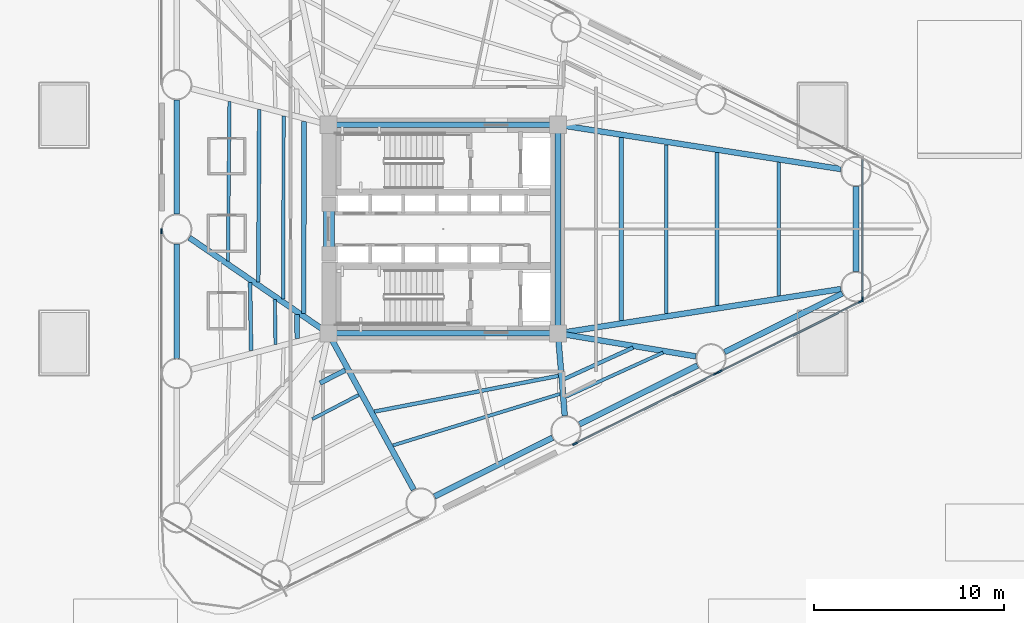
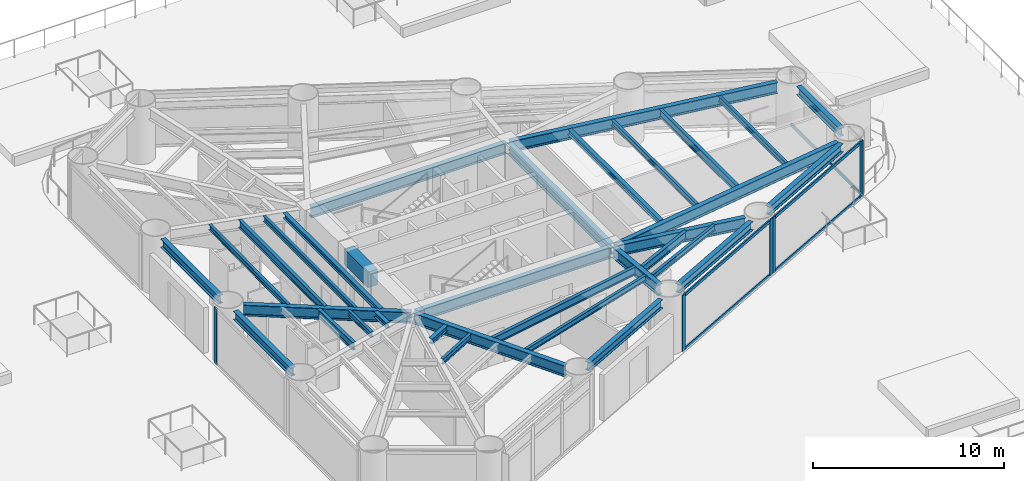
# One storey, part 2 of 13: 33 beams, 11 members, 4 elements without a shape of their own.
"""IFC4 building model written with IfcOpenShell, lengths in metres."""

from ifc_helpers import new_model, si_unit, direction, frame, origin, origin_2d, place, context, subcontext, project, spatial, rectangle, i_section, extrude, source, transform, mapped, material, layer, layer_set, material_profile, profile_set, type_object, element, aggregate, save


model = new_model("IFC4")

# Units and contexts
model_context = context("Model", 3, precision=1e-05, world=origin(), true_north=direction((0.0, 1.0)))
body_context = subcontext(model_context, "Body", "Model", "MODEL_VIEW")
ifc_project = project(units=[si_unit("LENGTHUNIT", "METRE"), si_unit("AREAUNIT", "SQUARE_METRE"), si_unit("VOLUMEUNIT", "CUBIC_METRE"), si_unit("PLANEANGLEUNIT", "RADIAN"), si_unit("MASSUNIT", "GRAM", prefix="KILO")], contexts=[model_context])

# Site, building, storey
site_placement = place(None, origin())
site = spatial("IfcSite", under=ifc_project, at=site_placement, CompositionType="ELEMENT")
building_placement = place(site_placement, origin())
building = spatial("IfcBuilding", under=site, at=building_placement, Name="Yunling Apex Tower", CompositionType="ELEMENT")
storey_placement = place(building_placement, frame((0.0, 0.0, 20.10009765625)))
storey = spatial("IfcBuildingStorey", under=building, at=storey_placement, Name="L06", CompositionType="ELEMENT", Elevation=20.10009765625)

# Beams
ifc_material_1 = material(Name="Concrete C60", Category="concrete")
ifc_material_profile_1 = material_profile(ifc_material_1, rectangle(XDim=0.60009765625, YDim=1.0, at=origin_2d()))
ifc_profile_set_1 = profile_set([ifc_material_profile_1], Name="Concrete C60")
beam_type_1 = type_object("IfcBeamType", Name="BC-CPL-1", PredefinedType="BEAM", material=ifc_profile_set_1)
shared_shape_1 = source(origin(), body_context, "Body", "SweptSolid", [
    extrude(rectangle(XDim=0.60009765625, YDim=1.0, at=origin_2d()), origin(), (0.0, 0.0, 1.0), 2.5),
])
beam_1_placement = place(storey_placement, frame((-6.02490234375, -1.25, 3.014892578125), z_axis=(0.0, 1.0, 0.0), x_axis=(-1.0, 0.0, 0.0)))
element("IfcBeam", 1, at=beam_1_placement, inside=storey, type_object=beam_type_1, Name="L06 Core West Portal Coupling Beam", PredefinedType="BEAM", context=body_context, shape_type="MappedRepresentation", body=[
    mapped(shared_shape_1, transform((0.0, 0.0, 0.0), scale=1.0)),
])
ifc_material_2 = material(Name="Steel Q355B", Category="steel")
ifc_material_profile_2 = material_profile(ifc_material_2, i_section(OverallWidth=0.300048828125, OverallDepth=0.699951171875, WebThickness=0.012939453125, FlangeThickness=0.02392578125, FilletRadius=0.02587890625, at=origin_2d()))
ifc_profile_set_2 = profile_set([ifc_material_profile_2], Name="Steel Q355B")
beam_type_2 = type_object("IfcBeamType", Name="BG-PRI-3", PredefinedType="USERDEFINED", material=ifc_profile_set_2)
shared_shape_2 = source(origin(), body_context, "Body", "SweptSolid", [
    extrude(i_section(OverallWidth=0.300048828125, OverallDepth=0.699951171875, WebThickness=0.012939453125, FlangeThickness=0.02392578125, FilletRadius=0.02587890625, at=origin_2d()), origin(), (0.0, 0.0, 1.0), 11.7998046875),
])
for number, where, z_axis, x_axis, name in (
    (2, (-5.89990234375, -5.5, 3.164794921875), (1.0, 0.0, 0.0), (0.0, 1.0, 0.0), "L06 Core Ring Tie Beam 1"),
    (3, (5.89990234375, 5.5, 3.164794921875), (-1.0, 0.0, 0.0), (0.0, -1.0, 0.0), "L06 Core Ring Tie Beam 3"),
):
    element("IfcBeam", number, at=place(storey_placement, frame(where, z_axis=z_axis, x_axis=x_axis)), inside=storey, type_object=beam_type_2, Name=name, ObjectType="GIRDER", PredefinedType="USERDEFINED", context=body_context, shape_type="MappedRepresentation", body=[
        mapped(shared_shape_2, transform((0.0, 0.0, 0.0), scale=1.0)),
    ])
shared_shape_3 = source(origin(), body_context, "Body", "SweptSolid", [
    extrude(i_section(OverallWidth=0.300048828125, OverallDepth=0.699951171875, WebThickness=0.012939453125, FlangeThickness=0.02392578125, FilletRadius=0.02587890625, at=origin_2d()), origin(), (0.0, 0.0, 1.0), 10.7001953125),
])
beam_2_placement = place(storey_placement, frame((6.050048828125, -5.35009765625, 3.164794921875), z_axis=(0.0, 1.0, 0.0), x_axis=(-1.0, 0.0, 0.0)))
element("IfcBeam", 4, at=beam_2_placement, inside=storey, type_object=beam_type_2, Name="L06 Core Ring Tie Beam 2", ObjectType="GIRDER", PredefinedType="USERDEFINED", context=body_context, shape_type="MappedRepresentation", body=[
    mapped(shared_shape_3, transform((0.0, 0.0, 0.0), scale=1.0)),
])
ifc_material_profile_3 = material_profile(ifc_material_2, i_section(OverallWidth=0.300048828125, OverallDepth=0.5400390625, WebThickness=0.011962890625, FlangeThickness=0.02001953125, FilletRadius=0.02392578125, at=origin_2d()))
ifc_profile_set_3 = profile_set([ifc_material_profile_3], Name="Steel Q355B")
beam_type_3 = type_object("IfcBeamType", Name="BP-SPN-1", PredefinedType="SPANDREL", material=ifc_profile_set_3)
shared_shape_4 = source(origin(), body_context, "Body", "SweptSolid", [
    extrude(i_section(OverallWidth=0.300048828125, OverallDepth=0.5400390625, WebThickness=0.011962890625, FlangeThickness=0.02001953125, FilletRadius=0.02392578125, at=origin_2d()), origin(), (0.0, 0.0, 1.0), 6.950927734375),
])
for number, where, z_axis, x_axis, name in (
    (5, (-0.456298828125, -14.099365234375, 3.244873046875), (0.895247556401, 0.445569088646, 0.0), (-0.445569088646, 0.895247556401, 0.0), "L06 Perimeter Spandrel Beam 2"),
    (6, (14.83251953125, -6.48974609375, 3.244873046875), (0.895247556401, 0.445569088646, 0.0), (-0.445569088646, 0.895247556401, 0.0), "L06 Perimeter Spandrel Beam 4"),
):
    element("IfcBeam", number, at=place(storey_placement, frame(where, z_axis=z_axis, x_axis=x_axis)), inside=storey, type_object=beam_type_3, Name=name, PredefinedType="SPANDREL", context=body_context, shape_type="MappedRepresentation", body=[
        mapped(shared_shape_4, transform((0.0, 0.0, 0.0), scale=1.0)),
    ])
shared_shape_5 = source(origin(), body_context, "Body", "SweptSolid", [
    extrude(i_section(OverallWidth=0.300048828125, OverallDepth=0.5400390625, WebThickness=0.011962890625, FlangeThickness=0.02001953125, FilletRadius=0.02392578125, at=origin_2d()), origin(), (0.0, 0.0, 1.0), 6.95068359375),
])
beam_3_placement = place(storey_placement, frame((7.188232421875, -10.29443359375, 3.244873046875), z_axis=(0.895254593944, 0.445554948375, 0.0), x_axis=(-0.445554948375, 0.895254593944, 0.0)))
element("IfcBeam", 7, at=beam_3_placement, inside=storey, type_object=beam_type_3, Name="L06 Perimeter Spandrel Beam 3", PredefinedType="SPANDREL", context=body_context, shape_type="MappedRepresentation", body=[
    mapped(shared_shape_5, transform((0.0, 0.0, 0.0), scale=1.0)),
])
shared_shape_6 = source(origin(), body_context, "Body", "SweptSolid", [
    extrude(i_section(OverallWidth=0.300048828125, OverallDepth=0.5400390625, WebThickness=0.011962890625, FlangeThickness=0.02001953125, FilletRadius=0.02392578125, at=origin_2d()), origin(), (0.0, 0.0, 1.0), 4.48974609375),
])
beam_4_placement = place(storey_placement, frame((21.76611328125, -2.244873046875, 3.244873046875), z_axis=(0.0, 1.0, 0.0), x_axis=(-1.0, 0.0, 0.0)))
element("IfcBeam", 8, at=beam_4_placement, inside=storey, type_object=beam_type_3, Name="L06 Perimeter Spandrel Beam 5", PredefinedType="SPANDREL", context=body_context, shape_type="MappedRepresentation", body=[
    mapped(shared_shape_6, transform((0.0, 0.0, 0.0), scale=1.0)),
])
shared_shape_7 = source(origin(), body_context, "Body", "SweptSolid", [
    extrude(i_section(OverallWidth=0.300048828125, OverallDepth=0.5400390625, WebThickness=0.011962890625, FlangeThickness=0.02001953125, FilletRadius=0.02392578125, at=origin_2d()), origin(), (0.0, 0.0, 1.0), 6.021484375),
])
for number, where, z_axis, x_axis, name in (
    (9, (-14.052001953125, 6.8154296875, 3.244873046875), (0.0, -1.0, 0.0), (1.0, 0.0, 0.0), "L06 Perimeter Spandrel Beam 12"),
    (10, (-14.052001953125, -0.7939453125, 3.244873046875), (0.0, -1.0, 0.0), (1.0, 0.0, 0.0), "L06 Perimeter Spandrel Beam 13"),
):
    element("IfcBeam", number, at=place(storey_placement, frame(where, z_axis=z_axis, x_axis=x_axis)), inside=storey, type_object=beam_type_3, Name=name, PredefinedType="SPANDREL", context=body_context, shape_type="MappedRepresentation", body=[
        mapped(shared_shape_7, transform((0.0, 0.0, 0.0), scale=1.0)),
    ])
shared_shape_8 = source(origin(), body_context, "Body", "SweptSolid", [
    extrude(i_section(OverallWidth=0.300048828125, OverallDepth=0.699951171875, WebThickness=0.012939453125, FlangeThickness=0.02392578125, FilletRadius=0.02587890625, at=origin_2d()), origin(), (0.0, 0.0, 1.0), 9.31005859375),
])
beam_5_placement = place(storey_placement, frame((-1.553955078125, -13.74365234375, 3.164794921875), z_axis=(-0.478817221141, 0.877914613581, 0.0), x_axis=(-0.877914613581, -0.478817221141, 0.0)))
element("IfcBeam", 11, at=beam_5_placement, inside=storey, type_object=beam_type_2, Name="L06 Radial Primary Girder R02", ObjectType="GIRDER", PredefinedType="USERDEFINED", context=body_context, shape_type="MappedRepresentation", body=[
    mapped(shared_shape_8, transform((0.0, 0.0, 0.0), scale=1.0)),
])
shared_shape_9 = source(origin(), body_context, "Body", "SweptSolid", [
    extrude(i_section(OverallWidth=0.300048828125, OverallDepth=0.699951171875, WebThickness=0.012939453125, FlangeThickness=0.02392578125, FilletRadius=0.02587890625, at=origin_2d()), origin(), (0.0, 0.0, 1.0), 4.278076171875),
])
beam_6_placement = place(storey_placement, frame((6.41064453125, -9.843017578125, 3.164794921875), z_axis=(-0.082747937789, 0.996570508691, 0.0), x_axis=(-0.996570508691, -0.082747937789, 0.0)))
element("IfcBeam", 12, at=beam_6_placement, inside=storey, type_object=beam_type_2, Name="L06 Radial Primary Girder R03", ObjectType="GIRDER", PredefinedType="USERDEFINED", context=body_context, shape_type="MappedRepresentation", body=[
    mapped(shared_shape_9, transform((0.0, 0.0, 0.0), scale=1.0)),
])
shared_shape_10 = source(origin(), body_context, "Body", "SweptSolid", [
    extrude(i_section(OverallWidth=0.300048828125, OverallDepth=0.699951171875, WebThickness=0.012939453125, FlangeThickness=0.02392578125, FilletRadius=0.02587890625, at=origin_2d()), origin(), (0.0, 0.0, 1.0), 7.294921875),
])
beam_7_placement = place(storey_placement, frame((13.32470703125, -6.7109375, 3.164794921875), z_axis=(-0.98642827455, 0.164192750049, 0.0), x_axis=(-0.164192750049, -0.98642827455, 0.0)))
element("IfcBeam", 13, at=beam_7_placement, inside=storey, type_object=beam_type_2, Name="L06 Radial Primary Girder R04", ObjectType="GIRDER", PredefinedType="USERDEFINED", context=body_context, shape_type="MappedRepresentation", body=[
    mapped(shared_shape_10, transform((0.0, 0.0, 0.0), scale=1.0)),
])
shared_shape_11 = source(origin(), body_context, "Body", "SweptSolid", [
    extrude(i_section(OverallWidth=0.300048828125, OverallDepth=0.699951171875, WebThickness=0.012939453125, FlangeThickness=0.02392578125, FilletRadius=0.02587890625, at=origin_2d()), origin(), (0.0, 0.0, 1.0), 15.02001953125),
])
for number, where, z_axis, x_axis, name in (
    (14, (20.968017578125, -3.163818359375, 3.164794921875), (-0.987959991473, -0.154709583568, 0.0), (0.154709583568, -0.987959991473, 0.0), "L06 Radial Primary Girder R05"),
    (15, (20.968017578125, 3.163818359375, 3.164794921875), (-0.987959991473, 0.154709583568, 0.0), (-0.154709583568, -0.987959991473, 0.0), "L06 Radial Primary Girder R06"),
):
    element("IfcBeam", number, at=place(storey_placement, frame(where, z_axis=z_axis, x_axis=x_axis)), inside=storey, type_object=beam_type_2, Name=name, ObjectType="GIRDER", PredefinedType="USERDEFINED", context=body_context, shape_type="MappedRepresentation", body=[
        mapped(shared_shape_11, transform((0.0, 0.0, 0.0), scale=1.0)),
    ])
shared_shape_12 = source(origin(), body_context, "Body", "SweptSolid", [
    extrude(i_section(OverallWidth=0.300048828125, OverallDepth=0.699951171875, WebThickness=0.012939453125, FlangeThickness=0.02392578125, FilletRadius=0.02587890625, at=origin_2d()), origin(), (0.0, 0.0, 1.0), 8.821533203125),
])
beam_8_placement = place(storey_placement, frame((-13.385986328125, -0.457763671875, 3.164794921875), z_axis=(0.824111362877, -0.566427807912, 0.0), x_axis=(0.566427807912, 0.824111362877, 0.0)))
element("IfcBeam", 16, at=beam_8_placement, inside=storey, type_object=beam_type_2, Name="L06 Radial Primary Girder R13", ObjectType="GIRDER", PredefinedType="USERDEFINED", context=body_context, shape_type="MappedRepresentation", body=[
    mapped(shared_shape_12, transform((0.0, 0.0, 0.0), scale=1.0)),
])
ifc_material_profile_4 = material_profile(ifc_material_2, i_section(OverallWidth=0.175048828125, OverallDepth=0.35009765625, WebThickness=0.007080078125, FlangeThickness=0.010986328125, FilletRadius=0.013916015625, at=origin_2d()))
ifc_profile_set_4 = profile_set([ifc_material_profile_4], Name="Steel Q355B")
beam_type_4 = type_object("IfcBeamType", Name="BJ-JST-1", PredefinedType="JOIST", material=ifc_profile_set_4)
shared_shape_13 = source(origin(), body_context, "Body", "SweptSolid", [
    extrude(i_section(OverallWidth=0.175048828125, OverallDepth=0.35009765625, WebThickness=0.007080078125, FlangeThickness=0.010986328125, FilletRadius=0.013916015625, at=origin_2d()), origin(), (0.0, 0.0, 1.0), 2.7548828125),
])
beam_9_placement = place(storey_placement, frame((-6.903076171875, -10.0224609375, 3.33984375), z_axis=(0.886932237595, 0.461899562584, 0.0), x_axis=(-0.461899562584, 0.886932237595, 0.0)))
element("IfcBeam", 17, at=beam_9_placement, inside=storey, type_object=beam_type_4, Name="L06 Composite Floor Joist BJ3-1", PredefinedType="JOIST", context=body_context, shape_type="MappedRepresentation", body=[
    mapped(shared_shape_13, transform((0.0, 0.0, 0.0), scale=1.0)),
])
ifc_material_profile_5 = material_profile(ifc_material_2, i_section(OverallWidth=0.25, OverallDepth=0.340087890625, WebThickness=0.009033203125, FlangeThickness=0.013916015625, FilletRadius=0.01806640625, at=origin_2d()))
ifc_profile_set_5 = profile_set([ifc_material_profile_5], Name="Steel Q355B")
beam_type_5 = type_object("IfcBeamType", Name="BJ-JST-2", PredefinedType="JOIST", material=ifc_profile_set_5)
shared_shape_14 = source(origin(), body_context, "Body", "SweptSolid", [
    extrude(i_section(OverallWidth=0.25, OverallDepth=0.340087890625, WebThickness=0.009033203125, FlangeThickness=0.013916015625, FilletRadius=0.01806640625, at=origin_2d()), origin(), (0.0, 0.0, 1.0), 1.482421875),
])
beam_10_placement = place(storey_placement, frame((-6.490966796875, -8.12060546875, 3.344970703125), z_axis=(0.888960334438, 0.457984196012, 0.0), x_axis=(-0.457984196012, 0.888960334438, 0.0)))
element("IfcBeam", 18, at=beam_10_placement, inside=storey, type_object=beam_type_5, Name="L06 Composite Floor Joist BJ2-1", PredefinedType="JOIST", context=body_context, shape_type="MappedRepresentation", body=[
    mapped(shared_shape_14, transform((0.0, 0.0, 0.0), scale=1.0)),
])
ifc_material_profile_6 = material_profile(ifc_material_2, i_section(OverallWidth=0.199951171875, OverallDepth=0.5, WebThickness=0.010009765625, FlangeThickness=0.01611328125, FilletRadius=0.02001953125, at=origin_2d()))
ifc_profile_set_6 = profile_set([ifc_material_profile_6], Name="Steel Q355B")
beam_type_6 = type_object("IfcBeamType", Name="BS-SEC-2", PredefinedType="BEAM", material=ifc_profile_set_6)
shared_shape_15 = source(origin(), body_context, "Body", "SweptSolid", [
    extrude(i_section(OverallWidth=0.199951171875, OverallDepth=0.5, WebThickness=0.010009765625, FlangeThickness=0.01611328125, FilletRadius=0.02001953125, at=origin_2d()), origin(), (0.0, 0.0, 1.0), 9.883544921875),
])
beam_11_placement = place(storey_placement, frame((-3.625732421875, -9.62646484375, 3.264892578125), z_axis=(0.981653423938, 0.190673950161, 0.0), x_axis=(-0.190673950161, 0.981653423938, 0.0)))
element("IfcBeam", 19, at=beam_11_placement, inside=storey, type_object=beam_type_6, Name="L06 Composite Floor Beam BS-2", PredefinedType="BEAM", context=body_context, shape_type="MappedRepresentation", body=[
    mapped(shared_shape_15, transform((0.0, 0.0, 0.0), scale=1.0)),
])
shared_shape_16 = source(origin(), body_context, "Body", "SweptSolid", [
    extrude(i_section(OverallWidth=0.175048828125, OverallDepth=0.35009765625, WebThickness=0.007080078125, FlangeThickness=0.010986328125, FilletRadius=0.013916015625, at=origin_2d()), origin(), (0.0, 0.0, 1.0), 9.2158203125),
])
beam_12_placement = place(storey_placement, frame((-2.649169921875, -11.407958984375, 3.33984375), z_axis=(0.955731454849, 0.294240354492, 0.0), x_axis=(-0.294240354492, 0.955731454849, 0.0)))
element("IfcBeam", 20, at=beam_12_placement, inside=storey, type_object=beam_type_4, Name="L06 Composite Floor Joist BJ1-2", PredefinedType="JOIST", context=body_context, shape_type="MappedRepresentation", body=[
    mapped(shared_shape_16, transform((0.0, 0.0, 0.0), scale=1.0)),
])
shared_shape_17 = source(origin(), body_context, "Body", "SweptSolid", [
    extrude(i_section(OverallWidth=0.199951171875, OverallDepth=0.5, WebThickness=0.010009765625, FlangeThickness=0.01611328125, FilletRadius=0.02001953125, at=origin_2d()), origin(), (0.0, 0.0, 1.0), 3.971923828125),
])
beam_13_placement = place(storey_placement, frame((6.400390625, -7.900634765625, 3.264892578125), z_axis=(0.909609234888, 0.415464847858, 0.0), x_axis=(-0.415464847858, 0.909609234888, 0.0)))
element("IfcBeam", 21, at=beam_13_placement, inside=storey, type_object=beam_type_6, Name="L06 Composite Floor Beam BS-3", PredefinedType="BEAM", context=body_context, shape_type="MappedRepresentation", body=[
    mapped(shared_shape_17, transform((0.0, 0.0, 0.0), scale=1.0)),
])
shared_shape_18 = source(origin(), body_context, "Body", "SweptSolid", [
    extrude(i_section(OverallWidth=0.175048828125, OverallDepth=0.35009765625, WebThickness=0.007080078125, FlangeThickness=0.010986328125, FilletRadius=0.013916015625, at=origin_2d()), origin(), (0.0, 0.0, 1.0), 5.62109375),
])
beam_14_placement = place(storey_placement, frame((6.478515625, -8.839111328125, 3.33984375), z_axis=(0.910411095702, 0.413704770124, 0.0), x_axis=(-0.413704770124, 0.910411095702, 0.0)))
element("IfcBeam", 22, at=beam_14_placement, inside=storey, type_object=beam_type_4, Name="L06 Composite Floor Joist BJ1-3", PredefinedType="JOIST", context=body_context, shape_type="MappedRepresentation", body=[
    mapped(shared_shape_18, transform((0.0, 0.0, 0.0), scale=1.0)),
])
shared_shape_19 = source(origin(), body_context, "Body", "SweptSolid", [
    extrude(i_section(OverallWidth=0.199951171875, OverallDepth=0.5, WebThickness=0.010009765625, FlangeThickness=0.01611328125, FilletRadius=0.02001953125, at=origin_2d()), origin(), (0.0, 0.0, 1.0), 8.052734375),
])
beam_15_placement = place(storey_placement, frame((14.438720703125, -4.0263671875, 3.264892578125), z_axis=(0.0, 1.0, 0.0), x_axis=(-1.0, 0.0, 0.0)))
element("IfcBeam", 23, at=beam_15_placement, inside=storey, type_object=beam_type_6, Name="L06 Composite Floor Beam BS-5", PredefinedType="BEAM", context=body_context, shape_type="MappedRepresentation", body=[
    mapped(shared_shape_19, transform((0.0, 0.0, 0.0), scale=1.0)),
])
shared_shape_20 = source(origin(), body_context, "Body", "SweptSolid", [
    extrude(i_section(OverallWidth=0.175048828125, OverallDepth=0.35009765625, WebThickness=0.007080078125, FlangeThickness=0.010986328125, FilletRadius=0.013916015625, at=origin_2d()), origin(), (0.0, 0.0, 1.0), 7.02978515625),
])
beam_16_placement = place(storey_placement, frame((17.703369140625, -3.514892578125, 3.33984375), z_axis=(0.0, 1.0, 0.0), x_axis=(-1.0, 0.0, 0.0)))
element("IfcBeam", 24, at=beam_16_placement, inside=storey, type_object=beam_type_4, Name="L06 Composite Floor Joist BJ1-5", PredefinedType="JOIST", context=body_context, shape_type="MappedRepresentation", body=[
    mapped(shared_shape_20, transform((0.0, 0.0, 0.0), scale=1.0)),
])
shared_shape_21 = source(origin(), body_context, "Body", "SweptSolid", [
    extrude(i_section(OverallWidth=0.175048828125, OverallDepth=0.35009765625, WebThickness=0.007080078125, FlangeThickness=0.010986328125, FilletRadius=0.013916015625, at=origin_2d()), origin(), (0.0, 0.0, 1.0), 8.88916015625),
])
beam_17_placement = place(storey_placement, frame((11.767822265625, -4.444580078125, 3.33984375), z_axis=(0.0, 1.0, 0.0), x_axis=(-1.0, 0.0, 0.0)))
element("IfcBeam", 25, at=beam_17_placement, inside=storey, type_object=beam_type_4, Name="L06 Composite Floor Joist BJ3-5", PredefinedType="JOIST", context=body_context, shape_type="MappedRepresentation", body=[
    mapped(shared_shape_21, transform((0.0, 0.0, 0.0), scale=1.0)),
])
shared_shape_22 = source(origin(), body_context, "Body", "SweptSolid", [
    extrude(i_section(OverallWidth=0.25, OverallDepth=0.340087890625, WebThickness=0.009033203125, FlangeThickness=0.013916015625, FilletRadius=0.01806640625, at=origin_2d()), origin(), (0.0, 0.0, 1.0), 9.6328125),
])
beam_18_placement = place(storey_placement, frame((9.3935546875, -4.81640625, 3.344970703125), z_axis=(0.0, 1.0, 0.0), x_axis=(-1.0, 0.0, 0.0)))
element("IfcBeam", 26, at=beam_18_placement, inside=storey, type_object=beam_type_5, Name="L06 Composite Floor Joist BJ2-5", PredefinedType="JOIST", context=body_context, shape_type="MappedRepresentation", body=[
    mapped(shared_shape_22, transform((0.0, 0.0, 0.0), scale=1.0)),
])
shared_shape_23 = source(origin(), body_context, "Body", "SweptSolid", [
    extrude(i_section(OverallWidth=0.199951171875, OverallDepth=0.5, WebThickness=0.010009765625, FlangeThickness=0.01611328125, FilletRadius=0.02001953125, at=origin_2d()), origin(), (0.0, 0.0, 1.0), 9.098388671875),
])
beam_19_placement = place(storey_placement, frame((-9.699951171875, 6.302001953125, 3.264892578125), z_axis=(-0.005500909631, -0.999984869882, 0.0), x_axis=(0.999984869882, -0.005500909631, 0.0)))
element("IfcBeam", 27, at=beam_19_placement, inside=storey, type_object=beam_type_6, Name="L06 Composite Floor Beam BS-12", PredefinedType="BEAM", context=body_context, shape_type="MappedRepresentation", body=[
    mapped(shared_shape_23, transform((0.0, 0.0, 0.0), scale=1.0)),
])
shared_shape_24 = source(origin(), body_context, "Body", "SweptSolid", [
    extrude(i_section(OverallWidth=0.175048828125, OverallDepth=0.35009765625, WebThickness=0.007080078125, FlangeThickness=0.010986328125, FilletRadius=0.013916015625, at=origin_2d()), origin(), (0.0, 0.0, 1.0), 8.41357421875),
])
beam_20_placement = place(storey_placement, frame((-11.27197265625, 6.71630859375, 3.33984375), z_axis=(-0.009169400639, -0.999957960162, 0.0), x_axis=(0.999957960162, -0.009169400639, 0.0)))
element("IfcBeam", 28, at=beam_20_placement, inside=storey, type_object=beam_type_4, Name="L06 Composite Floor Joist BJ1-12", PredefinedType="JOIST", context=body_context, shape_type="MappedRepresentation", body=[
    mapped(shared_shape_24, transform((0.0, 0.0, 0.0), scale=1.0)),
])
shared_shape_25 = source(origin(), body_context, "Body", "SweptSolid", [
    extrude(i_section(OverallWidth=0.175048828125, OverallDepth=0.35009765625, WebThickness=0.007080078125, FlangeThickness=0.010986328125, FilletRadius=0.013916015625, at=origin_2d()), origin(), (0.0, 0.0, 1.0), 9.65869140625),
])
beam_21_placement = place(storey_placement, frame((-8.413818359375, 5.962890625, 3.33984375), z_axis=(-0.002906817505, -0.999995775197, 0.0), x_axis=(0.999995775197, -0.002906817505, 0.0)))
element("IfcBeam", 29, at=beam_21_placement, inside=storey, type_object=beam_type_4, Name="L06 Composite Floor Joist BJ3-12", PredefinedType="JOIST", context=body_context, shape_type="MappedRepresentation", body=[
    mapped(shared_shape_25, transform((0.0, 0.0, 0.0), scale=1.0)),
])
shared_shape_26 = source(origin(), body_context, "Body", "SweptSolid", [
    extrude(i_section(OverallWidth=0.25, OverallDepth=0.340087890625, WebThickness=0.009033203125, FlangeThickness=0.013916015625, FilletRadius=0.01806640625, at=origin_2d()), origin(), (0.0, 0.0, 1.0), 10.125732421875),
])
beam_22_placement = place(storey_placement, frame((-7.341796875, 5.680419921875, 3.344970703125), z_axis=(-0.000988546835, -0.999999511387, 0.0), x_axis=(0.999999511387, -0.000988546835, 0.0)))
element("IfcBeam", 30, at=beam_22_placement, inside=storey, type_object=beam_type_5, Name="L06 Composite Floor Joist BJ2-12", PredefinedType="JOIST", context=body_context, shape_type="MappedRepresentation", body=[
    mapped(shared_shape_26, transform((0.0, 0.0, 0.0), scale=1.0)),
])
shared_shape_27 = source(origin(), body_context, "Body", "SweptSolid", [
    extrude(i_section(OverallWidth=0.199951171875, OverallDepth=0.5, WebThickness=0.010009765625, FlangeThickness=0.01611328125, FilletRadius=0.02001953125, at=origin_2d()), origin(), (0.0, 0.0, 1.0), 3.59912109375),
])
beam_23_placement = place(storey_placement, frame((-10.184814453125, -2.81640625, 3.264892578125), z_axis=(0.015194989083, -0.999884549489, 0.0), x_axis=(0.999884549489, 0.015194989083, 0.0)))
element("IfcBeam", 31, at=beam_23_placement, inside=storey, type_object=beam_type_6, Name="L06 Composite Floor Beam BS-13", PredefinedType="BEAM", context=body_context, shape_type="MappedRepresentation", body=[
    mapped(shared_shape_27, transform((0.0, 0.0, 0.0), scale=1.0)),
])
shared_shape_28 = source(origin(), body_context, "Body", "SweptSolid", [
    extrude(i_section(OverallWidth=0.175048828125, OverallDepth=0.35009765625, WebThickness=0.007080078125, FlangeThickness=0.010986328125, FilletRadius=0.013916015625, at=origin_2d()), origin(), (0.0, 0.0, 1.0), 2.3603515625),
])
beam_24_placement = place(storey_placement, frame((-8.87646484375, -3.7158203125, 3.33984375), z_axis=(0.013756844339, -0.99990537014, 0.0), x_axis=(0.99990537014, 0.013756844339, 0.0)))
element("IfcBeam", 32, at=beam_24_placement, inside=storey, type_object=beam_type_4, Name="L06 Composite Floor Joist BJ3-13", PredefinedType="JOIST", context=body_context, shape_type="MappedRepresentation", body=[
    mapped(shared_shape_28, transform((0.0, 0.0, 0.0), scale=1.0)),
])
shared_shape_29 = source(origin(), body_context, "Body", "SweptSolid", [
    extrude(i_section(OverallWidth=0.25, OverallDepth=0.340087890625, WebThickness=0.009033203125, FlangeThickness=0.013916015625, FilletRadius=0.01806640625, at=origin_2d()), origin(), (0.0, 0.0, 1.0), 1.25927734375),
])
beam_25_placement = place(storey_placement, frame((-7.713623046875, -4.515380859375, 3.344970703125), z_axis=(0.010274758105, -0.99994721328, 0.0), x_axis=(0.99994721328, 0.010274758105, 0.0)))
element("IfcBeam", 33, at=beam_25_placement, inside=storey, type_object=beam_type_5, Name="L06 Composite Floor Joist BJ2-13", PredefinedType="JOIST", context=body_context, shape_type="MappedRepresentation", body=[
    mapped(shared_shape_29, transform((0.0, 0.0, 0.0), scale=1.0)),
])

# Curtain wall, members
ifc_material_3 = material(Name="Bronze anodised aluminium", Category="aluminium")
ifc_layer = layer(ifc_material_3, 0.260009765625)
ifc_layer_set = layer_set([ifc_layer], Name="Bronze anodised aluminium")
curtain_wall_type = type_object("IfcCurtainWallType", Name="CW-SYS-2", PredefinedType="NOTDEFINED", material=ifc_layer_set)
curtain_wall_1_placement = place(storey_placement, origin())
curtain_wall_1 = element("IfcCurtainWall", 34, at=curtain_wall_1_placement, inside=storey, type_object=curtain_wall_type, Name="CW-L06-F1-B3", PredefinedType="NOTDEFINED")
ifc_material_profile_7 = material_profile(ifc_material_3, rectangle(XDim=0.0849609375, YDim=0.260009765625, at=origin_2d()))
ifc_profile_set_7 = profile_set([ifc_material_profile_7], Name="Bronze anodised aluminium")
member_type_1 = type_object("IfcMemberType", Name="CW-MUL-2", PredefinedType="MULLION", material=ifc_profile_set_7)
shared_shape_30 = source(origin(), body_context, "Body", "SweptSolid", [
    extrude(rectangle(XDim=0.0849609375, YDim=0.260009765625, at=origin_2d()), origin(), (0.0, 0.0, 1.0), 3.614990234375),
])
member_1_placement = place(storey_placement, frame((6.947998046875, -11.31884765625, -0.050048828125), z_axis=(0.0, 0.0, 1.0), x_axis=(-0.445570625003, 0.895246791748, 0.0)))
member_1 = element("IfcMember", 35, at=member_1_placement, type_object=member_type_1, Name="CW-SYS-2 mullion 1", PredefinedType="MULLION", context=body_context, shape_type="MappedRepresentation", body=[
    mapped(shared_shape_30, transform((0.0, 0.0, 0.0), scale=1.0)),
])
member_2_placement = place(storey_placement, frame((14.373046875, -7.623291015625, -0.050048828125), z_axis=(0.0, 0.0, 1.0), x_axis=(-0.445570625003, 0.895246791748, 0.0)))
member_2 = element("IfcMember", 36, at=member_2_placement, type_object=member_type_1, Name="CW-SYS-2 mullion 2", PredefinedType="MULLION", context=body_context, shape_type="MappedRepresentation", body=[
    mapped(shared_shape_30, transform((0.0, 0.0, 0.0), scale=1.0)),
])

curtain_wall_2_placement = place(storey_placement, origin())
curtain_wall_2 = element("IfcCurtainWall", 37, at=curtain_wall_2_placement, inside=storey, type_object=curtain_wall_type, Name="CW-L06-F1-B4", PredefinedType="NOTDEFINED")
member_3_placement = place(storey_placement, frame((14.59228515625, -7.51416015625, -0.050048828125), z_axis=(0.0, 0.0, 1.0), x_axis=(-0.445580190214, 0.895242031011, 0.0)))
member_3 = element("IfcMember", 38, at=member_3_placement, type_object=member_type_1, Name="CW-SYS-2 mullion 1", PredefinedType="MULLION", context=body_context, shape_type="MappedRepresentation", body=[
    mapped(shared_shape_30, transform((0.0, 0.0, 0.0), scale=1.0)),
])
member_4_placement = place(storey_placement, frame((22.017333984375, -3.818603515625, -0.050048828125), z_axis=(0.0, 0.0, 1.0), x_axis=(-0.445580190214, 0.895242031011, 0.0)))
member_4 = element("IfcMember", 39, at=member_4_placement, type_object=member_type_1, Name="CW-SYS-2 mullion 2", PredefinedType="MULLION", context=body_context, shape_type="MappedRepresentation", body=[
    mapped(shared_shape_30, transform((0.0, 0.0, 0.0), scale=1.0)),
])

# Curtain wall, member
curtain_wall_3_placement = place(storey_placement, origin())
curtain_wall_3 = element("IfcCurtainWall", 40, at=curtain_wall_3_placement, inside=storey, type_object=curtain_wall_type, Name="CW-L06-CRN1", PredefinedType="NOTDEFINED")
member_5_placement = place(storey_placement, frame((22.1181640625, -3.70361328125, -0.050048828125), z_axis=(0.0, 0.0, 1.0), x_axis=(-1.0, 0.0, 0.0)))
member_5 = element("IfcMember", 41, at=member_5_placement, type_object=member_type_1, Name="CW-SYS-2 mullion 1", PredefinedType="MULLION", context=body_context, shape_type="MappedRepresentation", body=[
    mapped(shared_shape_30, transform((0.0, 0.0, 0.0), scale=1.0)),
])

curtain_wall_4_placement = place(storey_placement, origin())
curtain_wall_4 = element("IfcCurtainWall", 42, at=curtain_wall_4_placement, inside=storey, type_object=curtain_wall_type, Name="CW-L06-F3-B3", PredefinedType="NOTDEFINED")
member_6_placement = place(storey_placement, frame((-14.862060546875, -0.12255859375, -0.050048828125), z_axis=(0.0, 0.0, 1.0), x_axis=(1.0, 0.0, 0.0)))
member_6 = element("IfcMember", 43, at=member_6_placement, type_object=member_type_1, Name="CW-SYS-2 mullion 1", PredefinedType="MULLION", context=body_context, shape_type="MappedRepresentation", body=[
    mapped(shared_shape_30, transform((0.0, 0.0, 0.0), scale=1.0)),
])
aggregate(curtain_wall_4, [member_6])

# Member
ifc_material_profile_8 = material_profile(ifc_material_3, rectangle(XDim=0.0849609375, YDim=0.199951171875, at=origin_2d()))
ifc_profile_set_8 = profile_set([ifc_material_profile_8], Name="Bronze anodised aluminium")
member_type_2 = type_object("IfcMemberType", Name="CW-TRN-2", PredefinedType="USERDEFINED", material=ifc_profile_set_8)
shared_shape_31 = source(origin(), body_context, "Body", "SweptSolid", [
    extrude(rectangle(XDim=0.0849609375, YDim=0.199951171875, at=origin_2d()), origin(), (0.0, 0.0, 1.0), 8.217529296875),
])
member_7_placement = place(storey_placement, frame((6.982177734375, -11.3017578125, 0.04248046875), z_axis=(0.895251603772, 0.445560956485, 0.0), x_axis=(-0.445560956485, 0.895251603772, 0.0)))
member_7 = element("IfcMember", 44, at=member_7_placement, type_object=member_type_2, Name="CW-SYS-2 transom 1.1", ObjectType="TRANSOM", PredefinedType="USERDEFINED", context=body_context, shape_type="MappedRepresentation", body=[
    mapped(shared_shape_31, transform((0.0, 0.0, 0.0), scale=1.0)),
])

member_8_placement = place(storey_placement, frame((6.982177734375, -11.3017578125, 3.472412109375), z_axis=(0.895251603772, 0.445560956485, 0.0), x_axis=(-0.445560956485, 0.895251603772, 0.0)))
member_8 = element("IfcMember", 45, at=member_8_placement, type_object=member_type_2, Name="CW-SYS-2 transom 1.2", ObjectType="TRANSOM", PredefinedType="USERDEFINED", context=body_context, shape_type="MappedRepresentation", body=[
    mapped(shared_shape_31, transform((0.0, 0.0, 0.0), scale=1.0)),
])

aggregate(curtain_wall_1, [member_1, member_2, member_7, member_8])

shared_shape_32 = source(origin(), body_context, "Body", "SweptSolid", [
    extrude(rectangle(XDim=0.0849609375, YDim=0.199951171875, at=origin_2d()), origin(), (0.0, 0.0, 1.0), 8.21728515625),
])
member_9_placement = place(storey_placement, frame((14.626708984375, -7.4970703125, 0.04248046875), z_axis=(0.895245705371, 0.445572807761, 0.0), x_axis=(-0.445572807761, 0.895245705371, 0.0)))
member_9 = element("IfcMember", 46, at=member_9_placement, type_object=member_type_2, Name="CW-SYS-2 transom 1.1", ObjectType="TRANSOM", PredefinedType="USERDEFINED", context=body_context, shape_type="MappedRepresentation", body=[
    mapped(shared_shape_32, transform((0.0, 0.0, 0.0), scale=1.0)),
])

member_10_placement = place(storey_placement, frame((14.626708984375, -7.4970703125, 3.472412109375), z_axis=(0.895245705371, 0.445572807761, 0.0), x_axis=(-0.445572807761, 0.895245705371, 0.0)))
member_10 = element("IfcMember", 47, at=member_10_placement, type_object=member_type_2, Name="CW-SYS-2 transom 1.2", ObjectType="TRANSOM", PredefinedType="USERDEFINED", context=body_context, shape_type="MappedRepresentation", body=[
    mapped(shared_shape_32, transform((0.0, 0.0, 0.0), scale=1.0)),
])

aggregate(curtain_wall_2, [member_3, member_4, member_9, member_10])

shared_shape_33 = source(origin(), body_context, "Body", "SweptSolid", [
    extrude(rectangle(XDim=0.0849609375, YDim=0.199951171875, at=origin_2d()), origin(), (0.0, 0.0, 1.0), 7.33056640625),
])
member_11_placement = place(storey_placement, frame((22.1181640625, -3.665283203125, 0.04248046875), z_axis=(0.0, 1.0, 0.0), x_axis=(-1.0, 0.0, 0.0)))
member_11 = element("IfcMember", 48, at=member_11_placement, type_object=member_type_2, Name="CW-SYS-2 transom 1.1", ObjectType="TRANSOM", PredefinedType="USERDEFINED", context=body_context, shape_type="MappedRepresentation", body=[
    mapped(shared_shape_33, transform((0.0, 0.0, 0.0), scale=1.0)),
])

aggregate(curtain_wall_3, [member_5, member_11])

save(model, "model.ifc")
